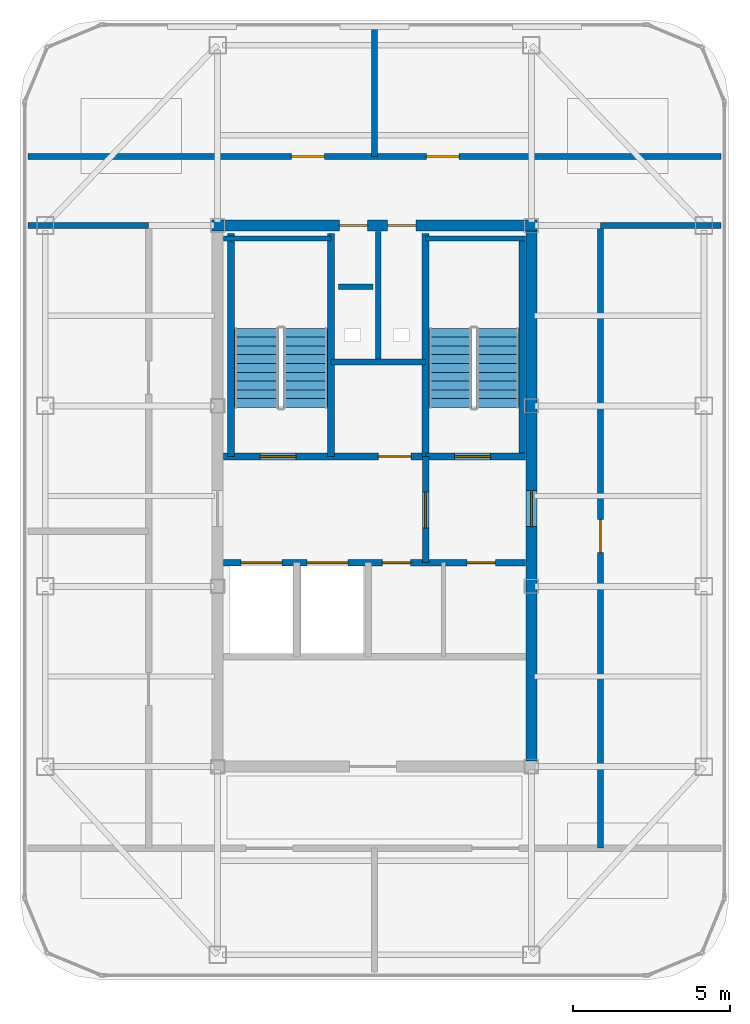
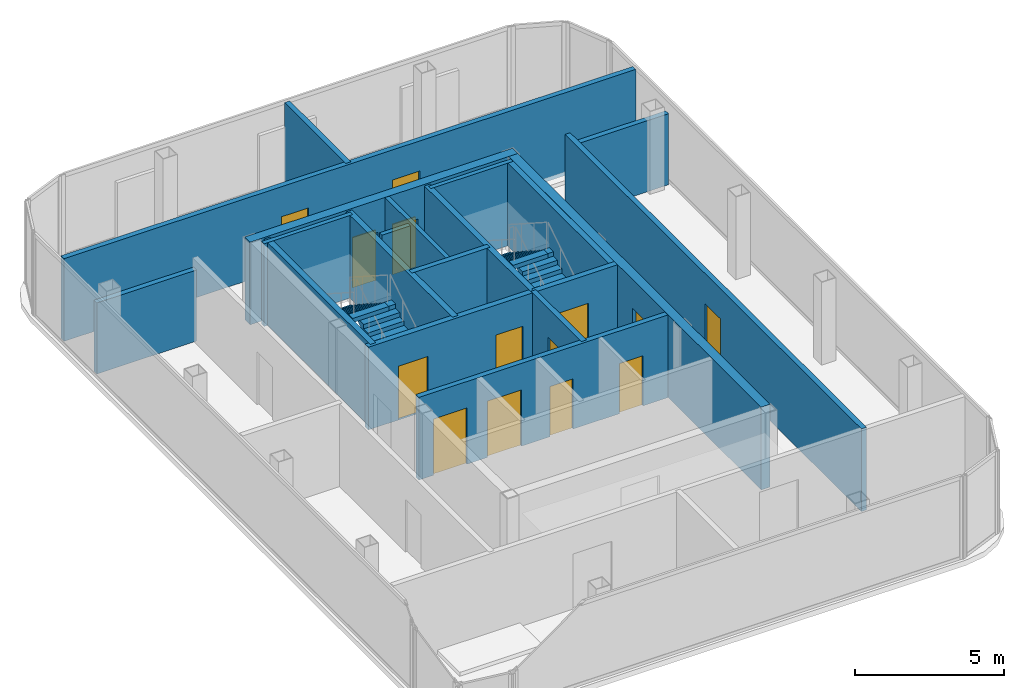
# One storey, part 10 of 11: 20 walls, 14 doors, 4 stair flights, 14 openings, 2 elements without a shape of their own.
"""IFC4 building model written with IfcOpenShell, lengths in metres."""

from ifc_helpers import new_model, si_unit, direction, frame, frame_2d, origin, place, context, subcontext, project, spatial, polyline, rectangle, outline, extrude, material, layer, layer_set, type_object, element, fill, aggregate, save


model = new_model("IFC4")

# Units and contexts
model_context = context("Model", 3, precision=1e-05, world=origin(), true_north=direction((0.0, 1.0)))
body_context = subcontext(model_context, "Body", "Model", "MODEL_VIEW")
ifc_project = project(units=[si_unit("LENGTHUNIT", "METRE"), si_unit("AREAUNIT", "SQUARE_METRE"), si_unit("VOLUMEUNIT", "CUBIC_METRE"), si_unit("PLANEANGLEUNIT", "RADIAN"), si_unit("MASSUNIT", "GRAM", prefix="KILO")], contexts=[model_context])

# Site, building, storey
site_placement = place(None, origin())
site = spatial("IfcSite", under=ifc_project, at=site_placement, CompositionType="ELEMENT")
building_placement = place(site_placement, origin())
building = spatial("IfcBuilding", under=site, at=building_placement, Name="Kolveth Station Tower", CompositionType="ELEMENT")
storey_placement = place(building_placement, frame((0.0, 0.0, 289.300048828125)))
storey = spatial("IfcBuildingStorey", under=building, at=storey_placement, Name="L83", CompositionType="ELEMENT", Elevation=289.300048828125)

# Wall, openings, doors
ifc_material_1 = material(Name="Concrete C50/60", Category="concrete")
ifc_layer_1 = layer(ifc_material_1, 0.35009765625)
ifc_layer_set_1 = layer_set([ifc_layer_1], Name="Concrete C50/60")
wall_type_1 = type_object("IfcWallType", Name="Wall_CW-350", PredefinedType="SHEAR", material=ifc_layer_set_1)
wall_1_placement = place(storey_placement, frame((18.324951171875, 28.75, 0.0), z_axis=(0.0, 0.0, 1.0), x_axis=(1.0, 0.0, 0.0)))
wall_1 = element("IfcWall", 1, at=wall_1_placement, inside=storey, type_object=wall_type_1, Name="L83 Core RC Shear Wall N", PredefinedType="SHEAR", context=body_context, shape_type="SweptSolid", body=[
    extrude(rectangle(XDim=10.35009765625, YDim=0.35009765625, at=frame_2d((5.175048828125, 0.0))), origin(), (0.0, 0.0, 1.0), 3.3798828125),
])
opening_1_placement = place(wall_1_placement, frame((4.054931640625, 0.0, 0.0)))
opening_1 = element("IfcOpeningElement", 2, at=opening_1_placement, cuts=wall_1, Name="Opening RD1", PredefinedType="OPENING", context=body_context, shape_type="SweptSolid", body=[
    extrude(rectangle(XDim=0.89990234375, YDim=2.050048828125, at=frame_2d((0.449951171875, 1.02490234375))), frame((0.0, 0.18505859375, 0.0), z_axis=(0.0, -1.0, 0.0), x_axis=(1.0, 0.0, 0.0)), (0.0, 0.0, 1.0), 0.3701171875),
])
opening_2_placement = place(wall_1_placement, frame((5.594970703125, 0.0, 0.0)))
opening_2 = element("IfcOpeningElement", 3, at=opening_2_placement, cuts=wall_1, Name="Opening RD1", PredefinedType="OPENING", context=body_context, shape_type="SweptSolid", body=[
    extrude(rectangle(XDim=0.89990234375, YDim=2.050048828125, at=frame_2d((0.449951171875, 1.02490234375))), frame((0.0, 0.18505859375, 0.0), z_axis=(0.0, -1.0, 0.0), x_axis=(1.0, 0.0, 0.0)), (0.0, 0.0, 1.0), 0.3701171875),
])
ifc_material_2 = material(Name="Fire-rated Steel S355 riser access leaf", Category="steel")
door_type_1 = type_object("IfcDoorType", Name="Door_RD1", OperationType="NOTDEFINED", PredefinedType="DOOR", material=ifc_material_2)
door_1_placement = place(opening_1_placement, origin())
door_1 = element("IfcDoor", 4, at=door_1_placement, inside=storey, type_object=door_type_1, Name="L83 Electrical Riser Access Door", OperationType="SINGLE_SWING_LEFT", OverallHeight=2.050048828125, OverallWidth=0.89990234375, PredefinedType="DOOR", context=body_context, shape_type="SweptSolid", body=[
    extrude(rectangle(XDim=0.89990234375, YDim=2.050048828125, at=frame_2d((0.449951171875, 1.02490234375))), frame((0.0, 0.02490234375, 0.0), z_axis=(0.0, -1.0, 0.0), x_axis=(1.0, 0.0, 0.0)), (0.0, 0.0, 1.0), 0.050048828125),
])
fill(opening_1, door_1)
door_2_placement = place(opening_2_placement, origin())
door_2 = element("IfcDoor", 5, at=door_2_placement, inside=storey, type_object=door_type_1, Name="L83 Smoke Duct Access Door", OperationType="SINGLE_SWING_RIGHT", OverallHeight=2.050048828125, OverallWidth=0.89990234375, PredefinedType="DOOR", context=body_context, shape_type="SweptSolid", body=[
    extrude(rectangle(XDim=0.89990234375, YDim=2.050048828125, at=frame_2d((0.449951171875, 1.02490234375))), frame((0.0, 0.02490234375, 0.0), z_axis=(0.0, -1.0, 0.0), x_axis=(1.0, 0.0, 0.0)), (0.0, 0.0, 1.0), 0.050048828125),
])
fill(opening_2, door_2)

# Wall, opening, door
wall_2_placement = place(storey_placement, frame((28.5, 11.675048828125, 0.0), z_axis=(0.0, 0.0, 1.0), x_axis=(0.0, 1.0, 0.0)))
wall_2 = element("IfcWall", 6, at=wall_2_placement, inside=storey, type_object=wall_type_1, Name="L83 Core RC Shear Wall E", PredefinedType="SHEAR", context=body_context, shape_type="SweptSolid", body=[
    extrude(rectangle(XDim=16.89990234375, YDim=0.35009765625, at=frame_2d((8.449951171875, 0.0))), origin(), (0.0, 0.0, 1.0), 3.3798828125),
])
opening_3_placement = place(wall_2_placement, frame((7.47509765625, 0.0, 0.0)))
opening_3 = element("IfcOpeningElement", 7, at=opening_3_placement, cuts=wall_2, Name="Opening FD1", PredefinedType="OPENING", context=body_context, shape_type="SweptSolid", body=[
    extrude(rectangle(XDim=1.14990234375, YDim=2.199951171875, at=frame_2d((0.574951171875, 1.10009765625))), frame((0.0, 0.18505859375, 0.0), z_axis=(0.0, -1.0, 0.0), x_axis=(1.0, 0.0, 0.0)), (0.0, 0.0, 1.0), 0.3701171875),
])
ifc_material_3 = material(Name="Fire-rated Steel S355 leaf and frame", Category="steel")
door_type_2 = type_object("IfcDoorType", Name="Door_FD1", OperationType="NOTDEFINED", PredefinedType="DOOR", material=ifc_material_3)
door_3_placement = place(opening_3_placement, origin())
door_3 = element("IfcDoor", 8, at=door_3_placement, inside=storey, type_object=door_type_2, Name="L83 East Corridor to Stair Lobby Door", OperationType="SINGLE_SWING_RIGHT", OverallHeight=2.199951171875, OverallWidth=1.14990234375, PredefinedType="DOOR", context=body_context, shape_type="SweptSolid", body=[
    extrude(rectangle(XDim=1.14990234375, YDim=2.199951171875, at=frame_2d((0.574951171875, 1.10009765625))), frame((0.0, 0.02490234375, 0.0), z_axis=(0.0, -1.0, 0.0), x_axis=(1.0, 0.0, 0.0)), (0.0, 0.0, 1.0), 0.050048828125),
])
fill(opening_3, door_3)

# Walls
ifc_material_4 = material(Name="Acoustic double-stud gypsum partition")
ifc_layer_2 = layer(ifc_material_4, 0.1650390625)
ifc_layer_set_2 = layer_set([ifc_layer_2], Name="Acoustic double-stud gypsum partition")
wall_type_2 = type_object("IfcWallType", Name="Wall_IW-165", PredefinedType="PARTITIONING", material=ifc_layer_set_2)
wall_3_placement = place(storey_placement, frame((18.68505859375, 28.3349609375, 0.0), z_axis=(0.0, 0.0, 1.0), x_axis=(1.0, 0.0, 0.0)))
element("IfcWall", 9, at=wall_3_placement, inside=storey, type_object=wall_type_2, Name="L83 Stair Shaft Wall WL-L83-ST1-N", PredefinedType="PARTITIONING", context=body_context, shape_type="SweptSolid", body=[
    extrude(rectangle(XDim=3.425048828125, YDim=0.1650390625, at=frame_2d((1.71240234375, 0.0))), origin(), (0.0, 0.0, 1.0), 3.3798828125),
])
wall_4_placement = place(storey_placement, frame((25.1298828125, 28.3349609375, 0.0), z_axis=(0.0, 0.0, 1.0), x_axis=(1.0, 0.0, 0.0)))
element("IfcWall", 10, at=wall_4_placement, inside=storey, type_object=wall_type_2, Name="L83 Stair Shaft Wall WL-L83-ST2-N", PredefinedType="PARTITIONING", context=body_context, shape_type="SweptSolid", body=[
    extrude(rectangle(XDim=3.18505859375, YDim=0.1650390625, at=frame_2d((1.592529296875, 0.0))), origin(), (0.0, 0.0, 1.0), 3.3798828125),
])
wall_5_placement = place(storey_placement, frame((23.6201171875, 24.39990234375, 0.0), z_axis=(0.0, 0.0, 1.0), x_axis=(0.0, 1.0, 0.0)))
element("IfcWall", 11, at=wall_5_placement, inside=storey, type_object=wall_type_2, Name="L83 Partition Wall WL-L83-RSR-M", PredefinedType="PARTITIONING", context=body_context, shape_type="SweptSolid", body=[
    extrude(rectangle(XDim=4.1650390625, YDim=0.1650390625, at=frame_2d((2.08251953125, 0.0))), origin(), (0.0, 0.0, 1.0), 3.3798828125),
])
wall_6_placement = place(storey_placement, frame((22.35009765625, 26.800048828125, 0.0), z_axis=(0.0, 0.0, 1.0), x_axis=(1.0, 0.0, 0.0)))
element("IfcWall", 12, at=wall_6_placement, inside=storey, type_object=wall_type_2, Name="L83 Acoustic Riser Dry-Lining Wall", PredefinedType="PARTITIONING", context=body_context, shape_type="SweptSolid", body=[
    extrude(rectangle(XDim=1.099853515625, YDim=0.1650390625, at=frame_2d((0.5498046875, 0.0))), origin(), (0.0, 0.0, 1.0), 3.3798828125),
])
ifc_material_5 = material(Name="Acoustic fire-rated gypsum blockwork", Category="masonry")
ifc_layer_3 = layer(ifc_material_5, 0.199951171875)
ifc_layer_set_3 = layer_set([ifc_layer_3], Name="Acoustic fire-rated gypsum blockwork")
wall_type_3 = type_object("IfcWallType", Name="Wall_IW-200", PredefinedType="PARTITIONING", material=ifc_layer_set_3)
wall_7_placement = place(storey_placement, frame((22.110107421875, 24.39990234375, 0.0), z_axis=(0.0, 0.0, 1.0), x_axis=(1.0, 0.0, 0.0)))
element("IfcWall", 13, at=wall_7_placement, inside=storey, type_object=wall_type_3, Name="L83 Partition Wall WL-L83-RSR-S", PredefinedType="PARTITIONING", context=body_context, shape_type="SweptSolid", body=[
    extrude(rectangle(XDim=3.019775390625, YDim=0.199951171875, at=frame_2d((1.509765625, 0.0))), origin(), (0.0, 0.0, 1.0), 3.3798828125),
])

# Wall, opening, door
wall_8_placement = place(storey_placement, frame((25.1298828125, 18.0, 0.0), z_axis=(0.0, 0.0, 1.0), x_axis=(0.0, 1.0, 0.0)))
wall_8 = element("IfcWall", 14, at=wall_8_placement, inside=storey, type_object=wall_type_3, Name="L83 Partition Wall WL-L83-FFL-E", PredefinedType="PARTITIONING", context=body_context, shape_type="SweptSolid", body=[
    extrude(rectangle(XDim=3.389892578125, YDim=0.199951171875, at=frame_2d((1.69482421875, 0.0))), origin(), (0.0, 0.0, 1.0), 3.3798828125),
])
opening_4_placement = place(wall_8_placement, frame((1.10009765625, 0.0, 0.0)))
opening_4 = element("IfcOpeningElement", 15, at=opening_4_placement, cuts=wall_8, Name="Opening FD1", PredefinedType="OPENING", context=body_context, shape_type="SweptSolid", body=[
    extrude(rectangle(XDim=1.14990234375, YDim=2.199951171875, at=frame_2d((0.574951171875, 1.10009765625))), frame((0.0, 0.10986328125, 0.0), z_axis=(0.0, -1.0, 0.0), x_axis=(1.0, 0.0, 0.0)), (0.0, 0.0, 1.0), 0.219970703125),
])
door_4_placement = place(opening_4_placement, origin())
door_4 = element("IfcDoor", 16, at=door_4_placement, inside=storey, type_object=door_type_2, Name="L83 Firefighting to Stair Lobby Door", OperationType="SINGLE_SWING_LEFT", OverallHeight=2.199951171875, OverallWidth=1.14990234375, PredefinedType="DOOR", context=body_context, shape_type="SweptSolid", body=[
    extrude(rectangle(XDim=1.14990234375, YDim=2.199951171875, at=frame_2d((0.574951171875, 1.10009765625))), frame((0.0, 0.02490234375, 0.0), z_axis=(0.0, -1.0, 0.0), x_axis=(1.0, 0.0, 0.0)), (0.0, 0.0, 1.0), 0.050048828125),
])
fill(opening_4, door_4)

# Wall, openings, doors
wall_9_placement = place(storey_placement, frame((18.68505859375, 18.0, 0.0), z_axis=(0.0, 0.0, 1.0), x_axis=(1.0, 0.0, 0.0)))
wall_9 = element("IfcWall", 17, at=wall_9_placement, inside=storey, type_object=wall_type_3, Name="L83 Partition Wall WL-L83-FFL-S", PredefinedType="PARTITIONING", context=body_context, shape_type="SweptSolid", body=[
    extrude(rectangle(XDim=9.6298828125, YDim=0.199951171875, at=frame_2d((4.81494140625, 0.0))), origin(), (0.0, 0.0, 1.0), 3.3798828125),
])
opening_5_placement = place(wall_9_placement, frame((0.56494140625, 0.0, 0.0)))
opening_5 = element("IfcOpeningElement", 18, at=opening_5_placement, cuts=wall_9, Name="Opening LD2", PredefinedType="OPENING", context=body_context, shape_type="SweptSolid", body=[
    extrude(rectangle(XDim=1.300048828125, YDim=2.300048828125, at=frame_2d((0.64990234375, 1.14990234375))), frame((0.0, 0.10986328125, 0.0), z_axis=(0.0, -1.0, 0.0), x_axis=(1.0, 0.0, 0.0)), (0.0, 0.0, 1.0), 0.219970703125),
])
opening_6_placement = place(wall_9_placement, frame((2.6650390625, 0.0, 0.0)))
opening_6 = element("IfcOpeningElement", 19, at=opening_6_placement, cuts=wall_9, Name="Opening LD2", PredefinedType="OPENING", context=body_context, shape_type="SweptSolid", body=[
    extrude(rectangle(XDim=1.300048828125, YDim=2.300048828125, at=frame_2d((0.64990234375, 1.14990234375))), frame((0.0, 0.10986328125, 0.0), z_axis=(0.0, -1.0, 0.0), x_axis=(1.0, 0.0, 0.0)), (0.0, 0.0, 1.0), 0.219970703125),
])
opening_7_placement = place(wall_9_placement, frame((5.06494140625, 0.0, 0.0)))
opening_7 = element("IfcOpeningElement", 20, at=opening_7_placement, cuts=wall_9, Name="Opening RD1", PredefinedType="OPENING", context=body_context, shape_type="SweptSolid", body=[
    extrude(rectangle(XDim=0.89990234375, YDim=2.050048828125, at=frame_2d((0.449951171875, 1.02490234375))), frame((0.0, 0.10986328125, 0.0), z_axis=(0.0, -1.0, 0.0), x_axis=(1.0, 0.0, 0.0)), (0.0, 0.0, 1.0), 0.219970703125),
])
opening_8_placement = place(wall_9_placement, frame((7.764892578125, 0.0, 0.0)))
opening_8 = element("IfcOpeningElement", 21, at=opening_8_placement, cuts=wall_9, Name="Opening RD1", PredefinedType="OPENING", context=body_context, shape_type="SweptSolid", body=[
    extrude(rectangle(XDim=0.89990234375, YDim=2.050048828125, at=frame_2d((0.449951171875, 1.02490234375))), frame((0.0, 0.10986328125, 0.0), z_axis=(0.0, -1.0, 0.0), x_axis=(1.0, 0.0, 0.0)), (0.0, 0.0, 1.0), 0.219970703125),
])
ifc_material_6 = material(Name="Firefighting stainless steel sliding landing doors", Category="steel")
door_type_3 = type_object("IfcDoorType", Name="Door_LD2", OperationType="NOTDEFINED", PredefinedType="DOOR", material=ifc_material_6)
door_5_placement = place(opening_5_placement, origin())
door_5 = element("IfcDoor", 22, at=door_5_placement, inside=storey, type_object=door_type_3, Name="L83 Firefighting Lift FF1 Landing Door", OperationType="DOUBLE_DOOR_SLIDING", OverallHeight=2.300048828125, OverallWidth=1.300048828125, PredefinedType="DOOR", context=body_context, shape_type="SweptSolid", body=[
    extrude(rectangle(XDim=1.300048828125, YDim=2.300048828125, at=frame_2d((0.64990234375, 1.14990234375))), frame((0.0, 0.02490234375, 0.0), z_axis=(0.0, -1.0, 0.0), x_axis=(1.0, 0.0, 0.0)), (0.0, 0.0, 1.0), 0.050048828125),
])
fill(opening_5, door_5)
door_6_placement = place(opening_6_placement, origin())
door_6 = element("IfcDoor", 23, at=door_6_placement, inside=storey, type_object=door_type_3, Name="L83 Firefighting Lift FF2 Landing Door", OperationType="DOUBLE_DOOR_SLIDING", OverallHeight=2.300048828125, OverallWidth=1.300048828125, PredefinedType="DOOR", context=body_context, shape_type="SweptSolid", body=[
    extrude(rectangle(XDim=1.300048828125, YDim=2.300048828125, at=frame_2d((0.64990234375, 1.14990234375))), frame((0.0, 0.02490234375, 0.0), z_axis=(0.0, -1.0, 0.0), x_axis=(1.0, 0.0, 0.0)), (0.0, 0.0, 1.0), 0.050048828125),
])
fill(opening_6, door_6)
door_7_placement = place(opening_7_placement, frame((0.89990234375, 0.0, 0.0), z_axis=(0.0, 0.0, 1.0), x_axis=(-1.0, 0.0, 0.0)))
door_7 = element("IfcDoor", 24, at=door_7_placement, inside=storey, type_object=door_type_1, Name="L83 Core Accessible WC Door", OperationType="SINGLE_SWING_LEFT", OverallHeight=2.050048828125, OverallWidth=0.89990234375, PredefinedType="DOOR", context=body_context, shape_type="SweptSolid", body=[
    extrude(rectangle(XDim=0.89990234375, YDim=2.050048828125, at=frame_2d((0.449951171875, 1.02490234375))), frame((0.0, 0.02490234375, 0.0), z_axis=(0.0, -1.0, 0.0), x_axis=(1.0, 0.0, 0.0)), (0.0, 0.0, 1.0), 0.050048828125),
])
fill(opening_7, door_7)
door_8_placement = place(opening_8_placement, frame((0.89990234375, 0.0, 0.0), z_axis=(0.0, 0.0, 1.0), x_axis=(-1.0, 0.0, 0.0)))
door_8 = element("IfcDoor", 25, at=door_8_placement, inside=storey, type_object=door_type_1, Name="L83 Core Cleaner Store Door", OperationType="SINGLE_SWING_RIGHT", OverallHeight=2.050048828125, OverallWidth=0.89990234375, PredefinedType="DOOR", context=body_context, shape_type="SweptSolid", body=[
    extrude(rectangle(XDim=0.89990234375, YDim=2.050048828125, at=frame_2d((0.449951171875, 1.02490234375))), frame((0.0, 0.02490234375, 0.0), z_axis=(0.0, -1.0, 0.0), x_axis=(1.0, 0.0, 0.0)), (0.0, 0.0, 1.0), 0.050048828125),
])
fill(opening_8, door_8)

wall_10_placement = place(storey_placement, frame((12.449951171875, 30.949951171875, 0.0), z_axis=(0.0, 0.0, 1.0), x_axis=(1.0, 0.0, 0.0)))
wall_10 = element("IfcWall", 26, at=wall_10_placement, inside=storey, type_object=wall_type_3, Name="L83 Partition Wall WL-L83-PR-N", PredefinedType="PARTITIONING", context=body_context, shape_type="SweptSolid", body=[
    extrude(rectangle(XDim=22.10009765625, YDim=0.199951171875, at=frame_2d((11.050048828125, 0.0))), origin(), (0.0, 0.0, 1.0), 3.3798828125),
])
opening_9_placement = place(wall_10_placement, frame((8.39990234375, 0.0, 0.0)))
opening_9 = element("IfcOpeningElement", 27, at=opening_9_placement, cuts=wall_10, Name="Opening FD2", PredefinedType="OPENING", context=body_context, shape_type="SweptSolid", body=[
    extrude(rectangle(XDim=1.050048828125, YDim=2.14990234375, at=frame_2d((0.52490234375, 1.074951171875))), frame((0.0, 0.10986328125, 0.0), z_axis=(0.0, -1.0, 0.0), x_axis=(1.0, 0.0, 0.0)), (0.0, 0.0, 1.0), 0.219970703125),
])
opening_10_placement = place(wall_10_placement, frame((12.699951171875, 0.0, 0.0)))
opening_10 = element("IfcOpeningElement", 28, at=opening_10_placement, cuts=wall_10, Name="Opening FD2", PredefinedType="OPENING", context=body_context, shape_type="SweptSolid", body=[
    extrude(rectangle(XDim=1.050048828125, YDim=2.14990234375, at=frame_2d((0.52490234375, 1.074951171875))), frame((0.0, 0.10986328125, 0.0), z_axis=(0.0, -1.0, 0.0), x_axis=(1.0, 0.0, 0.0)), (0.0, 0.0, 1.0), 0.219970703125),
])
door_type_4 = type_object("IfcDoorType", Name="Door_FD2", OperationType="NOTDEFINED", PredefinedType="DOOR", material=ifc_material_3)
door_9_placement = place(opening_9_placement, origin())
door_9 = element("IfcDoor", 29, at=door_9_placement, inside=storey, type_object=door_type_4, Name="L83 Water Tank Room Door", OperationType="SINGLE_SWING_LEFT", OverallHeight=2.14990234375, OverallWidth=1.050048828125, PredefinedType="DOOR", context=body_context, shape_type="SweptSolid", body=[
    extrude(rectangle(XDim=1.050048828125, YDim=2.14990234375, at=frame_2d((0.52490234375, 1.074951171875))), frame((0.0, 0.02490234375, 0.0), z_axis=(0.0, -1.0, 0.0), x_axis=(1.0, 0.0, 0.0)), (0.0, 0.0, 1.0), 0.050048828125),
])
fill(opening_9, door_9)
door_10_placement = place(opening_10_placement, origin())
door_10 = element("IfcDoor", 30, at=door_10_placement, inside=storey, type_object=door_type_4, Name="L83 Elevator Machine Plant Room Door", OperationType="SINGLE_SWING_LEFT", OverallHeight=2.14990234375, OverallWidth=1.050048828125, PredefinedType="DOOR", context=body_context, shape_type="SweptSolid", body=[
    extrude(rectangle(XDim=1.050048828125, YDim=2.14990234375, at=frame_2d((0.52490234375, 1.074951171875))), frame((0.0, 0.02490234375, 0.0), z_axis=(0.0, -1.0, 0.0), x_axis=(1.0, 0.0, 0.0)), (0.0, 0.0, 1.0), 0.050048828125),
])
fill(opening_10, door_10)

# Wall, opening, door
wall_11_placement = place(storey_placement, frame((30.699951171875, 8.89990234375, 0.0), z_axis=(0.0, 0.0, 1.0), x_axis=(0.0, 1.0, 0.0)))
wall_11 = element("IfcWall", 31, at=wall_11_placement, inside=storey, type_object=wall_type_3, Name="L83 Partition Wall WL-L83-PR-E", PredefinedType="PARTITIONING", context=body_context, shape_type="SweptSolid", body=[
    extrude(rectangle(XDim=19.85009765625, YDim=0.199951171875, at=frame_2d((9.925048828125, 0.0))), origin(), (0.0, 0.0, 1.0), 3.3798828125),
])
opening_11_placement = place(wall_11_placement, frame((9.425048828125, 0.0, 0.0)))
opening_11 = element("IfcOpeningElement", 32, at=opening_11_placement, cuts=wall_11, Name="Opening FD2", PredefinedType="OPENING", context=body_context, shape_type="SweptSolid", body=[
    extrude(rectangle(XDim=1.050048828125, YDim=2.14990234375, at=frame_2d((0.52490234375, 1.074951171875))), frame((0.0, 0.10986328125, 0.0), z_axis=(0.0, -1.0, 0.0), x_axis=(1.0, 0.0, 0.0)), (0.0, 0.0, 1.0), 0.219970703125),
])
door_11_placement = place(opening_11_placement, origin())
door_11 = element("IfcDoor", 33, at=door_11_placement, inside=storey, type_object=door_type_4, Name="L83 Medium Voltage Switchgear Room Door", OperationType="SINGLE_SWING_LEFT", OverallHeight=2.14990234375, OverallWidth=1.050048828125, PredefinedType="DOOR", context=body_context, shape_type="SweptSolid", body=[
    extrude(rectangle(XDim=1.050048828125, YDim=2.14990234375, at=frame_2d((0.52490234375, 1.074951171875))), frame((0.0, 0.02490234375, 0.0), z_axis=(0.0, -1.0, 0.0), x_axis=(1.0, 0.0, 0.0)), (0.0, 0.0, 1.0), 0.050048828125),
])
fill(opening_11, door_11)

# Walls
for number, where, z_axis, x_axis, name in (
    (34, (12.449951171875, 28.75, 0.0), (0.0, 0.0, 1.0), (1.0, 0.0, 0.0), "L83 Partition Wall WL-L83-CR-WN"),
    (35, (30.699951171875, 28.75, 0.0), (0.0, 0.0, 1.0), (1.0, 0.0, 0.0), "L83 Partition Wall WL-L83-CR-EN"),
):
    element("IfcWall", number, at=place(storey_placement, frame(where, z_axis=z_axis, x_axis=x_axis)), inside=storey, type_object=wall_type_3, Name=name, PredefinedType="PARTITIONING", context=body_context, shape_type="SweptSolid", body=[
        extrude(rectangle(XDim=3.85009765625, YDim=0.199951171875, at=frame_2d((1.925048828125, 0.0))), origin(), (0.0, 0.0, 1.0), 2.905029296875),
    ])
wall_12_placement = place(storey_placement, frame((23.5, 30.949951171875, 0.0), z_axis=(0.0, 0.0, 1.0), x_axis=(0.0, 1.0, 0.0)))
element("IfcWall", 36, at=wall_12_placement, inside=storey, type_object=wall_type_3, Name="L83 Partition Wall WL-L83-CN-P1", PredefinedType="PARTITIONING", context=body_context, shape_type="SweptSolid", body=[
    extrude(rectangle(XDim=4.10009765625, YDim=0.199951171875, at=frame_2d((2.050048828125, 0.0))), origin(), (0.0, 0.0, 1.0), 3.3798828125),
])
ifc_material_7 = material(Name="Concrete C40/50", Category="concrete")
ifc_layer_4 = layer(ifc_material_7, 0.219970703125)
ifc_layer_set_4 = layer_set([ifc_layer_4], Name="Concrete C40/50")
wall_type_4 = type_object("IfcWallType", Name="Wall_IW-220", PredefinedType="SOLIDWALL", material=ifc_layer_set_4)
for number, where, z_axis, x_axis, name in (
    (37, (18.929931640625, 21.389892578125, 0.0), (0.0, 0.0, 1.0), (0.0, 1.0, 0.0), "L83 Stair Shaft Wall WL-L83-ST1-W"),
    (38, (22.110107421875, 21.389892578125, 0.0), (0.0, 0.0, 1.0), (0.0, 1.0, 0.0), "L83 Stair Shaft Wall WL-L83-ST1-E"),
    (39, (25.1298828125, 21.389892578125, 0.0), (0.0, 0.0, 1.0), (0.0, 1.0, 0.0), "L83 Stair Shaft Wall WL-L83-ST2-W"),
):
    element("IfcWall", number, at=place(storey_placement, frame(where, z_axis=z_axis, x_axis=x_axis)), inside=storey, type_object=wall_type_4, Name=name, PredefinedType="SOLIDWALL", context=body_context, shape_type="SweptSolid", body=[
        extrude(rectangle(XDim=7.110107421875, YDim=0.219970703125, at=frame_2d((3.55517578125, 0.0))), origin(), (0.0, 0.0, 1.0), 3.3798828125),
    ])
wall_13_placement = place(storey_placement, frame((28.2099609375, 21.389892578125, 0.0), z_axis=(0.0, 0.0, 1.0), x_axis=(0.0, 1.0, 0.0)))
element("IfcWall", 40, at=wall_13_placement, inside=storey, type_object=wall_type_4, Name="L83 Stair Shaft Wall WL-L83-ST2-E", PredefinedType="SOLIDWALL", context=body_context, shape_type="SweptSolid", body=[
    extrude(rectangle(XDim=6.945068359375, YDim=0.219970703125, at=frame_2d((3.47265625, 0.0))), origin(), (0.0, 0.0, 1.0), 3.3798828125),
])

# Wall, openings, doors
wall_14_placement = place(storey_placement, frame((18.68505859375, 21.389892578125, 0.0), z_axis=(0.0, 0.0, 1.0), x_axis=(1.0, 0.0, 0.0)))
wall_14 = element("IfcWall", 41, at=wall_14_placement, inside=storey, type_object=wall_type_4, Name="L83 Stair Shaft Wall WL-L83-ST1-S", PredefinedType="SOLIDWALL", context=body_context, shape_type="SweptSolid", body=[
    extrude(rectangle(XDim=6.44482421875, YDim=0.219970703125, at=frame_2d((3.222412109375, 0.0))), origin(), (0.0, 0.0, 1.0), 3.3798828125),
])
opening_12_placement = place(wall_14_placement, frame((1.1650390625, 0.0, 0.0)))
opening_12 = element("IfcOpeningElement", 42, at=opening_12_placement, cuts=wall_14, Name="Opening FD1", PredefinedType="OPENING", context=body_context, shape_type="SweptSolid", body=[
    extrude(rectangle(XDim=1.14990234375, YDim=2.199951171875, at=frame_2d((0.574951171875, 1.10009765625))), frame((0.0, 0.119873046875, 0.0), z_axis=(0.0, -1.0, 0.0), x_axis=(1.0, 0.0, 0.0)), (0.0, 0.0, 1.0), 0.239990234375),
])
opening_13_placement = place(wall_14_placement, frame((4.93505859375, 0.0, 0.0)))
opening_13 = element("IfcOpeningElement", 43, at=opening_13_placement, cuts=wall_14, Name="Opening FD2", PredefinedType="OPENING", context=body_context, shape_type="SweptSolid", body=[
    extrude(rectangle(XDim=1.050048828125, YDim=2.14990234375, at=frame_2d((0.52490234375, 1.074951171875))), frame((0.0, 0.119873046875, 0.0), z_axis=(0.0, -1.0, 0.0), x_axis=(1.0, 0.0, 0.0)), (0.0, 0.0, 1.0), 0.239990234375),
])
door_12_placement = place(opening_12_placement, frame((1.14990234375, 0.0, 0.0), z_axis=(0.0, 0.0, 1.0), x_axis=(-1.0, 0.0, 0.0)))
door_12 = element("IfcDoor", 44, at=door_12_placement, inside=storey, type_object=door_type_2, Name="L83 Stair ST1 Fire Door", OperationType="SINGLE_SWING_LEFT", OverallHeight=2.199951171875, OverallWidth=1.14990234375, PredefinedType="DOOR", context=body_context, shape_type="SweptSolid", body=[
    extrude(rectangle(XDim=1.14990234375, YDim=2.199951171875, at=frame_2d((0.574951171875, 1.10009765625))), frame((0.0, 0.02490234375, 0.0), z_axis=(0.0, -1.0, 0.0), x_axis=(1.0, 0.0, 0.0)), (0.0, 0.0, 1.0), 0.050048828125),
])
fill(opening_12, door_12)
door_13_placement = place(opening_13_placement, origin())
door_13 = element("IfcDoor", 45, at=door_13_placement, inside=storey, type_object=door_type_4, Name="L83 Crown Control Room Door", OperationType="SINGLE_SWING_LEFT", OverallHeight=2.14990234375, OverallWidth=1.050048828125, PredefinedType="DOOR", context=body_context, shape_type="SweptSolid", body=[
    extrude(rectangle(XDim=1.050048828125, YDim=2.14990234375, at=frame_2d((0.52490234375, 1.074951171875))), frame((0.0, 0.02490234375, 0.0), z_axis=(0.0, -1.0, 0.0), x_axis=(1.0, 0.0, 0.0)), (0.0, 0.0, 1.0), 0.050048828125),
])
fill(opening_13, door_13)

# Wall, opening, door
wall_15_placement = place(storey_placement, frame((25.1298828125, 21.389892578125, 0.0), z_axis=(0.0, 0.0, 1.0), x_axis=(1.0, 0.0, 0.0)))
wall_15 = element("IfcWall", 46, at=wall_15_placement, inside=storey, type_object=wall_type_4, Name="L83 Stair Shaft Wall WL-L83-ST2-S", PredefinedType="SOLIDWALL", context=body_context, shape_type="SweptSolid", body=[
    extrude(rectangle(XDim=3.18505859375, YDim=0.219970703125, at=frame_2d((1.592529296875, 0.0))), origin(), (0.0, 0.0, 1.0), 3.3798828125),
])
opening_14_placement = place(wall_15_placement, frame((0.919921875, 0.0, 0.0)))
opening_14 = element("IfcOpeningElement", 47, at=opening_14_placement, cuts=wall_15, Name="Opening FD1", PredefinedType="OPENING", context=body_context, shape_type="SweptSolid", body=[
    extrude(rectangle(XDim=1.14990234375, YDim=2.199951171875, at=frame_2d((0.574951171875, 1.10009765625))), frame((0.0, 0.119873046875, 0.0), z_axis=(0.0, -1.0, 0.0), x_axis=(1.0, 0.0, 0.0)), (0.0, 0.0, 1.0), 0.239990234375),
])
door_14_placement = place(opening_14_placement, frame((1.14990234375, 0.0, 0.0), z_axis=(0.0, 0.0, 1.0), x_axis=(-1.0, 0.0, 0.0)))
door_14 = element("IfcDoor", 48, at=door_14_placement, inside=storey, type_object=door_type_2, Name="L83 Stair ST2 Fire Door", OperationType="SINGLE_SWING_RIGHT", OverallHeight=2.199951171875, OverallWidth=1.14990234375, PredefinedType="DOOR", context=body_context, shape_type="SweptSolid", body=[
    extrude(rectangle(XDim=1.14990234375, YDim=2.199951171875, at=frame_2d((0.574951171875, 1.10009765625))), frame((0.0, 0.02490234375, 0.0), z_axis=(0.0, -1.0, 0.0), x_axis=(1.0, 0.0, 0.0)), (0.0, 0.0, 1.0), 0.050048828125),
])
fill(opening_14, door_14)

# Stair, stair flights
stair_type_1 = type_object("IfcStairType", Name="Stair_ST1", PredefinedType="HALF_TURN_STAIR", material=ifc_material_7)
stair_1_placement = place(storey_placement, origin())
stair_1 = element("IfcStair", 49, at=stair_1_placement, inside=storey, type_object=stair_type_1, Name="L83 Tower Exit Stair ST1", PredefinedType="HALF_TURN_STAIR")
ifc_layer_5 = layer(ifc_material_7, 0.179931640625)
ifc_layer_set_5 = layer_set([ifc_layer_5], Name="Concrete C40/50")
stair_flight_type_1 = type_object("IfcStairFlightType", Name="Flight_ST1", PredefinedType="STRAIGHT", material=ifc_layer_set_5)
stair_flight_1_placement = place(storey_placement, frame((21.300048828125, 22.949951171875, 0.0), z_axis=(0.0, 0.0, 1.0), x_axis=(0.0, 1.0, 0.0)))
stair_flight_1 = element("IfcStairFlight", 50, at=stair_flight_1_placement, type_object=stair_flight_type_1, Name="ST1 flight 1", NumberOfRisers=10, NumberOfTreads=9, PredefinedType="STRAIGHT", RiserHeight=0.18, TreadLength=0.28, context=body_context, shape_type="SweptSolid", body=[
    extrude(outline(polyline([(0.0, 0.0), (0.0, 0.179931640625), (0.280029296875, 0.179931640625), (0.280029296875, 0.360107421875), (0.56005859375, 0.360107421875), (0.56005859375, 0.5400390625), (0.840087890625, 0.5400390625), (0.840087890625, 0.719970703125), (1.1201171875, 0.719970703125), (1.1201171875, 0.89990234375), (1.39990234375, 0.89990234375), (1.39990234375, 1.080078125), (1.679931640625, 1.080078125), (1.679931640625, 1.260009765625), (1.9599609375, 1.260009765625), (1.9599609375, 1.43994140625), (2.239990234375, 1.43994140625), (2.239990234375, 1.6201171875), (2.52001953125, 1.6201171875), (2.52001953125, 1.800048828125), (2.52001953125, 1.44189453125), (0.277099609375, 0.0), (0.0, 0.0)])), frame((0.0, 0.699951171875, 0.0), z_axis=(0.0, -1.0, 0.0), x_axis=(1.0, 0.0, 0.0)), (0.0, 0.0, 1.0), 1.39990234375),
])
stair_flight_2_placement = place(storey_placement, frame((19.739990234375, 25.469970703125, 1.800048828125), z_axis=(0.0, 0.0, 1.0), x_axis=(0.0, -1.0, 0.0)))
stair_flight_2 = element("IfcStairFlight", 51, at=stair_flight_2_placement, type_object=stair_flight_type_1, Name="ST1 flight 2", NumberOfRisers=10, NumberOfTreads=9, PredefinedType="STRAIGHT", RiserHeight=0.18, TreadLength=0.28, context=body_context, shape_type="SweptSolid", body=[
    extrude(outline(polyline([(0.0, 0.0), (0.0, 0.179931640625), (0.280029296875, 0.179931640625), (0.280029296875, 0.360107421875), (0.56005859375, 0.360107421875), (0.56005859375, 0.5400390625), (0.840087890625, 0.5400390625), (0.840087890625, 0.719970703125), (1.1201171875, 0.719970703125), (1.1201171875, 0.89990234375), (1.39990234375, 0.89990234375), (1.39990234375, 1.080078125), (1.679931640625, 1.080078125), (1.679931640625, 1.260009765625), (1.9599609375, 1.260009765625), (1.9599609375, 1.43994140625), (2.239990234375, 1.43994140625), (2.239990234375, 1.6201171875), (2.52001953125, 1.6201171875), (2.52001953125, 1.800048828125), (2.52001953125, 1.44189453125), (0.277099609375, 0.0), (0.0, 0.0)])), frame((0.0, 0.699951171875, 0.0), z_axis=(0.0, -1.0, 0.0), x_axis=(1.0, 0.0, 0.0)), (0.0, 0.0, 1.0), 1.39990234375),
])
aggregate(stair_1, [stair_flight_1, stair_flight_2])

stair_type_2 = type_object("IfcStairType", Name="Stair_ST2", PredefinedType="HALF_TURN_STAIR", material=ifc_material_7)
stair_2_placement = place(storey_placement, origin())
stair_2 = element("IfcStair", 52, at=stair_2_placement, inside=storey, type_object=stair_type_2, Name="L83 Tower Exit Stair ST2", PredefinedType="HALF_TURN_STAIR")
ifc_layer_6 = layer(ifc_material_7, 0.179931640625)
ifc_layer_set_6 = layer_set([ifc_layer_6], Name="Concrete C40/50")
stair_flight_type_2 = type_object("IfcStairFlightType", Name="Flight_ST2", PredefinedType="STRAIGHT", material=ifc_layer_set_6)
stair_flight_3_placement = place(storey_placement, frame((27.425048828125, 22.949951171875, 0.0), z_axis=(0.0, 0.0, 1.0), x_axis=(0.0, 1.0, 0.0)))
stair_flight_3 = element("IfcStairFlight", 53, at=stair_flight_3_placement, type_object=stair_flight_type_2, Name="ST2 flight 1", NumberOfRisers=10, NumberOfTreads=9, PredefinedType="STRAIGHT", RiserHeight=0.18, TreadLength=0.28, context=body_context, shape_type="SweptSolid", body=[
    extrude(outline(polyline([(0.0, 0.0), (0.0, 0.179931640625), (0.280029296875, 0.179931640625), (0.280029296875, 0.360107421875), (0.56005859375, 0.360107421875), (0.56005859375, 0.5400390625), (0.840087890625, 0.5400390625), (0.840087890625, 0.719970703125), (1.1201171875, 0.719970703125), (1.1201171875, 0.89990234375), (1.39990234375, 0.89990234375), (1.39990234375, 1.080078125), (1.679931640625, 1.080078125), (1.679931640625, 1.260009765625), (1.9599609375, 1.260009765625), (1.9599609375, 1.43994140625), (2.239990234375, 1.43994140625), (2.239990234375, 1.6201171875), (2.52001953125, 1.6201171875), (2.52001953125, 1.800048828125), (2.52001953125, 1.44189453125), (0.277099609375, 0.0), (0.0, 0.0)])), frame((0.0, 0.675048828125, 0.0), z_axis=(0.0, -1.0, 0.0), x_axis=(1.0, 0.0, 0.0)), (0.0, 0.0, 1.0), 1.35009765625),
])
stair_flight_4_placement = place(storey_placement, frame((25.9150390625, 25.469970703125, 1.800048828125), z_axis=(0.0, 0.0, 1.0), x_axis=(0.0, -1.0, 0.0)))
stair_flight_4 = element("IfcStairFlight", 54, at=stair_flight_4_placement, type_object=stair_flight_type_2, Name="ST2 flight 2", NumberOfRisers=10, NumberOfTreads=9, PredefinedType="STRAIGHT", RiserHeight=0.18, TreadLength=0.28, context=body_context, shape_type="SweptSolid", body=[
    extrude(outline(polyline([(0.0, 0.0), (0.0, 0.179931640625), (0.280029296875, 0.179931640625), (0.280029296875, 0.360107421875), (0.56005859375, 0.360107421875), (0.56005859375, 0.5400390625), (0.840087890625, 0.5400390625), (0.840087890625, 0.719970703125), (1.1201171875, 0.719970703125), (1.1201171875, 0.89990234375), (1.39990234375, 0.89990234375), (1.39990234375, 1.080078125), (1.679931640625, 1.080078125), (1.679931640625, 1.260009765625), (1.9599609375, 1.260009765625), (1.9599609375, 1.43994140625), (2.239990234375, 1.43994140625), (2.239990234375, 1.6201171875), (2.52001953125, 1.6201171875), (2.52001953125, 1.800048828125), (2.52001953125, 1.44189453125), (0.277099609375, 0.0), (0.0, 0.0)])), frame((0.0, 0.675048828125, 0.0), z_axis=(0.0, -1.0, 0.0), x_axis=(1.0, 0.0, 0.0)), (0.0, 0.0, 1.0), 1.35009765625),
])
aggregate(stair_2, [stair_flight_3, stair_flight_4])

save(model, "model.ifc")
